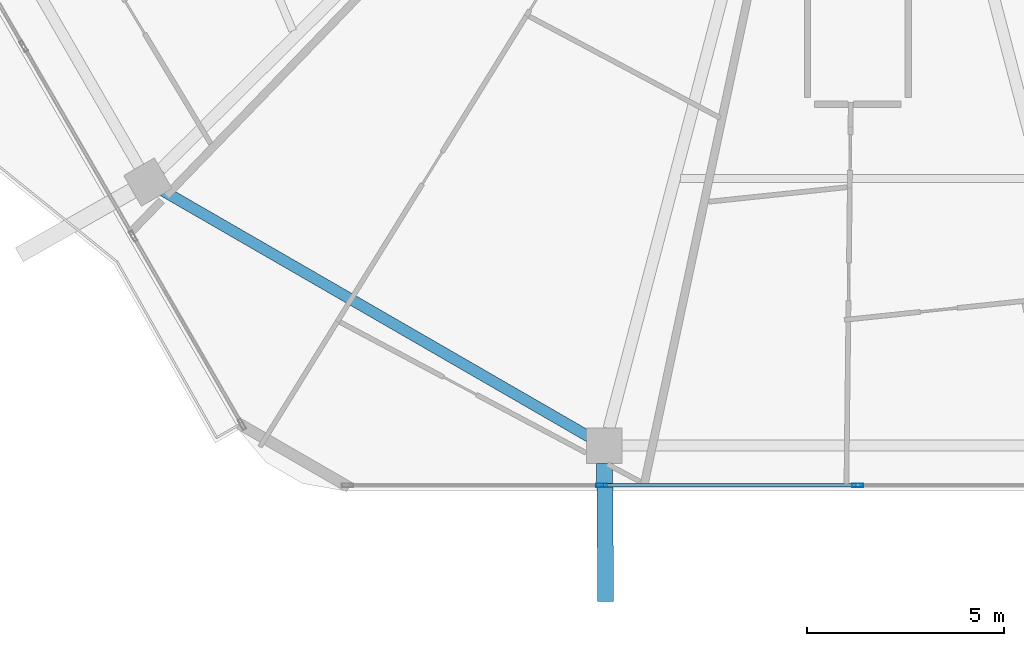
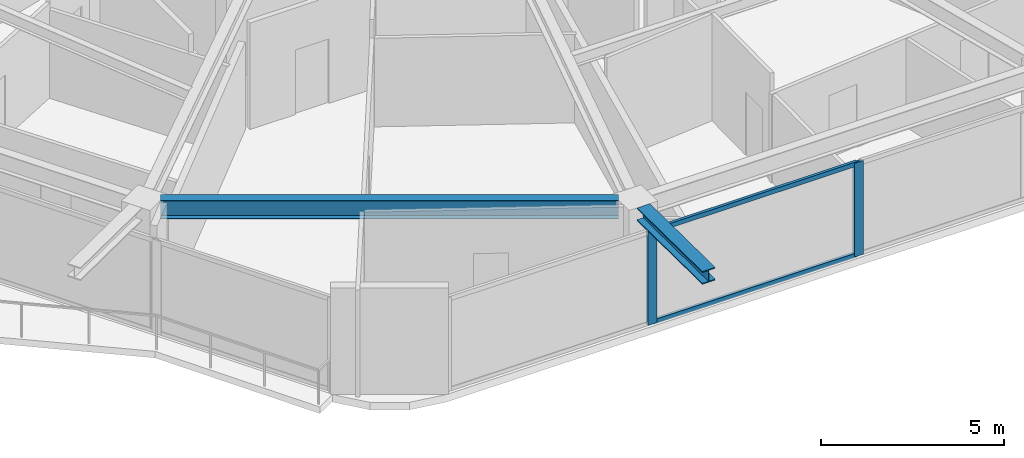
# One storey, part 3 of 26: 4 members, 2 beams, 1 element without a shape of its own.
"""IFC4 building model written with IfcOpenShell, lengths in metres."""

from ifc_helpers import new_model, si_unit, direction, frame, origin, origin_2d, place, context, subcontext, project, spatial, hollow_rectangle, i_section, extrude, material, material_profile, profile_set, type_object, element, aggregate, save


model = new_model("IFC4")

# Units and contexts
model_context = context("Model", 3, precision=1e-05, world=origin(), true_north=direction((0.0, 1.0)))
body_context = subcontext(model_context, "Body", "Model", "MODEL_VIEW")
ifc_project = project(units=[si_unit("LENGTHUNIT", "METRE"), si_unit("AREAUNIT", "SQUARE_METRE"), si_unit("VOLUMEUNIT", "CUBIC_METRE"), si_unit("PLANEANGLEUNIT", "RADIAN"), si_unit("MASSUNIT", "GRAM", prefix="KILO")], contexts=[model_context])

# Site, building, storey
site_placement = place(None, origin())
site = spatial("IfcSite", under=ifc_project, at=site_placement, CompositionType="ELEMENT")
building_placement = place(site_placement, origin())
building = spatial("IfcBuilding", under=site, at=building_placement, Name="Zuhravey Tower", CompositionType="ELEMENT")
storey_placement = place(building_placement, frame((0.0, 0.0, 250.199951171875)))
storey = spatial("IfcBuildingStorey", under=building, at=storey_placement, Name="L63", CompositionType="ELEMENT", Elevation=250.199951171875)

# Curtain wall, members
ifc_material_1 = material(Name="Thermally broken anodised aluminium", Category="aluminium")
curtain_wall_type = type_object("IfcCurtainWallType", Name="Zone 3-4 High-Rise Curtain Wall CW4", PredefinedType="NOTDEFINED", material=ifc_material_1)
curtain_wall_placement = place(storey_placement, origin())
curtain_wall = element("IfcCurtainWall", 1, at=curtain_wall_placement, inside=storey, type_object=curtain_wall_type, Name="L63 CW4 CW-L63-F5-1", PredefinedType="NOTDEFINED")
ifc_material_2 = material(Name="Anodised aluminium", Category="aluminium")
ifc_material_profile_1 = material_profile(ifc_material_2, hollow_rectangle(XDim=0.090087890625, YDim=0.284912109375, WallThickness=0.0048828125, at=origin_2d()), Name="ALU-RHS-90x285x5")
ifc_profile_set_1 = profile_set([ifc_material_profile_1], Name="Anodised aluminium")
member_type_1 = type_object("IfcMemberType", Name="Curtain-Wall Mullion 90x180", PredefinedType="MULLION", material=ifc_profile_set_1)
member_1_placement = place(storey_placement, frame((36.0, 6.436279296875, 0.0), z_axis=(0.0, 0.0, 1.0), x_axis=(0.0, -1.0, 0.0)))
member_1 = element("IfcMember", 2, at=member_1_placement, type_object=member_type_1, Name="CW4 mullion 3", PredefinedType="MULLION", context=body_context, shape_type="SweptSolid", body=[
    extrude(hollow_rectangle(XDim=0.090087890625, YDim=0.284912109375, WallThickness=0.0048828125, at=origin_2d()), origin(), (0.0, 0.0, 1.0), 3.1220703125),
])
member_2_placement = place(storey_placement, frame((29.49365234375, 6.436279296875, 0.0), z_axis=(0.0, 0.0, 1.0), x_axis=(0.0, -1.0, 0.0)))
member_2 = element("IfcMember", 3, at=member_2_placement, type_object=member_type_1, Name="CW4 mullion 4", PredefinedType="MULLION", context=body_context, shape_type="SweptSolid", body=[
    extrude(hollow_rectangle(XDim=0.090087890625, YDim=0.284912109375, WallThickness=0.0048828125, at=origin_2d()), origin(), (0.0, 0.0, 1.0), 3.1220703125),
])
ifc_material_profile_2 = material_profile(ifc_material_2, hollow_rectangle(XDim=0.090087890625, YDim=0.14990234375, WallThickness=0.0048828125, at=origin_2d()), Name="ALU-RHS-90x150x5")
ifc_profile_set_2 = profile_set([ifc_material_profile_2], Name="Anodised aluminium")
member_type_2 = type_object("IfcMemberType", Name="Curtain-Wall Transom 90x150", PredefinedType="USERDEFINED", material=ifc_profile_set_2)
member_3_placement = place(storey_placement, frame((35.955078125, 6.436279296875, 0.045166015625), z_axis=(-1.0, 0.0, 0.0), x_axis=(0.0, -1.0, 0.0)))
member_3 = element("IfcMember", 4, at=member_3_placement, type_object=member_type_2, Name="CW4 transom 3.1", ObjectType="TRANSOM", PredefinedType="USERDEFINED", context=body_context, shape_type="SweptSolid", body=[
    extrude(hollow_rectangle(XDim=0.090087890625, YDim=0.14990234375, WallThickness=0.0048828125, at=origin_2d()), origin(), (0.0, 0.0, 1.0), 6.41650390625),
])
member_4_placement = place(storey_placement, frame((35.955078125, 6.436279296875, 3.0771484375), z_axis=(-1.0, 0.0, 0.0), x_axis=(0.0, -1.0, 0.0)))
member_4 = element("IfcMember", 5, at=member_4_placement, type_object=member_type_2, Name="CW4 transom 3.2", ObjectType="TRANSOM", PredefinedType="USERDEFINED", context=body_context, shape_type="SweptSolid", body=[
    extrude(hollow_rectangle(XDim=0.090087890625, YDim=0.14990234375, WallThickness=0.0048828125, at=origin_2d()), origin(), (0.0, 0.0, 1.0), 6.41650390625),
])
aggregate(curtain_wall, [member_1, member_2, member_3, member_4])

# Beams
ifc_material_3 = material(Name="Steel SM460", Category="steel")
ifc_material_profile_3 = material_profile(ifc_material_3, i_section(OverallWidth=0.406982421875, OverallDepth=0.427978515625, WebThickness=0.02001953125, FlangeThickness=0.034912109375, at=origin_2d()), Name="H-428x407x20x35")
ifc_profile_set_3 = profile_set([ifc_material_profile_3], Name="Steel SM460")
beam_type_1 = type_object("IfcBeamType", Name="Exoskeleton Node Tie Beam H428x407", PredefinedType="BEAM", material=ifc_profile_set_3)
beam_1_placement = place(storey_placement, frame((29.56298828125, 6.992431640625, 3.3359375), z_axis=(0.008344052746, -0.999965187786, 0.0), x_axis=(0.999965187786, 0.008344052746, 0.0)))
element("IfcBeam", 6, at=beam_1_placement, inside=storey, type_object=beam_type_1, Name="L63 Exoskeleton Node Tie NT1-09", PredefinedType="BEAM", context=body_context, shape_type="SweptSolid", body=[
    extrude(i_section(OverallWidth=0.406982421875, OverallDepth=0.427978515625, WebThickness=0.02001953125, FlangeThickness=0.034912109375, at=origin_2d()), origin(), (0.0, 0.0, 1.0), 3.51123046875),
])
ifc_material_4 = material(Name="Steel SM355", Category="steel")
ifc_material_profile_4 = material_profile(ifc_material_4, i_section(OverallWidth=0.280029296875, OverallDepth=0.6201171875, WebThickness=0.011962890625, FlangeThickness=0.02001953125, at=origin_2d()), Name="H-620x280x12x20")
ifc_profile_set_4 = profile_set([ifc_material_profile_4], Name="Steel SM355")
beam_type_2 = type_object("IfcBeamType", Name="Perimeter Ring Beam H620x280", PredefinedType="BEAM", material=ifc_profile_set_4)
beam_2_placement = place(storey_placement, frame((18.3486328125, 13.918701171875, 3.239990234375), z_axis=(0.866025131093, -0.500000472315, 0.0), x_axis=(0.500000472315, 0.866025131093, 0.0)))
element("IfcBeam", 7, at=beam_2_placement, inside=storey, type_object=beam_type_2, Name="L63 PB3 BM-L63-PB-08", PredefinedType="BEAM", context=body_context, shape_type="SweptSolid", body=[
    extrude(i_section(OverallWidth=0.280029296875, OverallDepth=0.6201171875, WebThickness=0.011962890625, FlangeThickness=0.02001953125, at=origin_2d()), origin(), (0.0, 0.0, 1.0), 12.49169921875),
])

save(model, "model.ifc")
